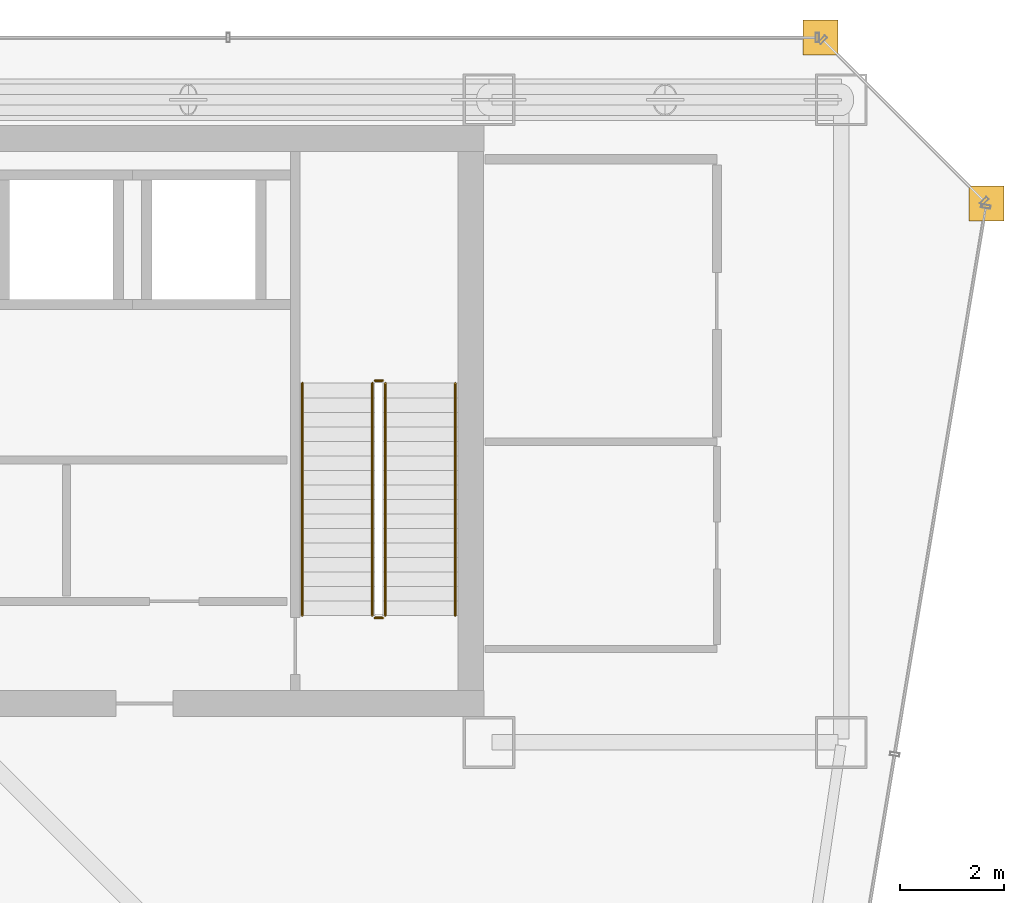
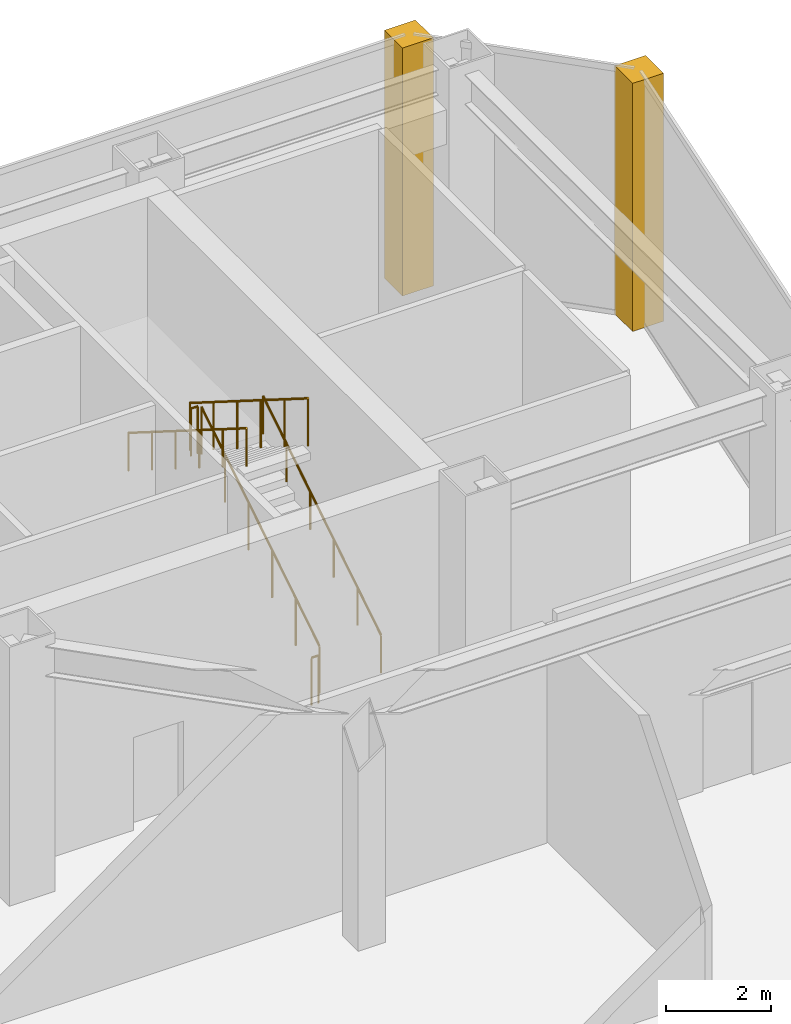
# One storey, part 30 of 30: 6 railings, 2 coverings.
"""IFC4 building model written with IfcOpenShell, lengths in metres."""

import ifcopenshell
import ifcopenshell.guid

model = None  # the IFC model being written
_history = None  # IfcOwnerHistory: only IFC2X3 demands one
_inside = {}  # id of a spatial element -> (the spatial element, [elements in it])
_under = {}  # id of a project, library or spatial element -> (it, [spatial elements below it])
_declared = {}  # id of a project -> (the project, [libraries it declares])
_typed = {}  # id of a type object -> (the type object, [elements of that type])
_made_of = {}  # id of a material, layer set ... -> (it, [elements and type objects made of it])


def new_model(schema):
    """Start an empty IFC model of exactly this schema.

    Asked for "IFC4X3", IfcOpenShell would pick the latest addendum, in which some entities
    have other attributes; the version numbers below select the first issue.
    IFC2X3 requires an IfcOwnerHistory on every rooted entity: one is made here for all.
    """
    global model, _history
    if schema == "IFC4X3":
        model = ifcopenshell.file(schema_version=(4, 3, 0, 0))
    else:
        model = ifcopenshell.file(schema=schema)
    _inside.clear()
    _under.clear()
    _declared.clear()
    _typed.clear()
    _made_of.clear()
    _history = None
    if model.schema == "IFC2X3":
        org = make("IfcOrganization", Name="unknown")
        user = make(
            "IfcPersonAndOrganization",
            ThePerson=make("IfcPerson", FamilyName="unknown"),
            TheOrganization=org,
        )
        app = make(
            "IfcApplication",
            ApplicationDeveloper=org,
            Version="unknown",
            ApplicationFullName="unknown",
            ApplicationIdentifier="unknown",
        )
        _history = make(
            "IfcOwnerHistory",
            OwningUser=user,
            OwningApplication=app,
            ChangeAction="ADDED",
            CreationDate=0,
        )
    return model


def make(cls, **values):
    """One entity of the class cls with the attributes given. An attribute that is None is left unset."""
    return model.create_entity(
        cls, **{name: value for name, value in values.items() if value is not None}
    )


def rooted(cls, **values):
    """An entity with a GlobalId (a new one), such as an element, a storey or a relation."""
    return make(cls, GlobalId=ifcopenshell.guid.new(), OwnerHistory=_history, **values)


def si_unit(unit_type, name, prefix=None):
    """IfcSIUnit, for example si_unit("LENGTHUNIT", "METRE", prefix="MILLI")."""
    return make("IfcSIUnit", UnitType=unit_type, Prefix=prefix, Name=name)


def assignment(units):
    """IfcUnitAssignment: the units of a project."""
    return None if units is None else make("IfcUnitAssignment", Units=units)


def point(xyz):
    """IfcCartesianPoint."""
    return None if xyz is None else make("IfcCartesianPoint", Coordinates=xyz)


def direction(xyz):
    """IfcDirection."""
    return None if xyz is None else make("IfcDirection", DirectionRatios=xyz)


def frame(location, z_axis=None, x_axis=None):
    """IfcAxis2Placement3D, a coordinate frame: its origin and axes. An axis left out is left unset."""
    return make(
        "IfcAxis2Placement3D",
        Location=point(location),
        Axis=direction(z_axis),
        RefDirection=direction(x_axis),
    )


def frame_2d(location, x_axis=None):
    """IfcAxis2Placement2D, a coordinate frame in the plane: its origin and x axis."""
    return make(
        "IfcAxis2Placement2D", Location=point(location), RefDirection=direction(x_axis)
    )


def origin():
    """The frame at (0, 0, 0) with its axes left unset."""
    return frame((0.0, 0.0, 0.0))


def origin_2d():
    """The frame at (0, 0) in the plane with its x axis left unset."""
    return frame_2d((0.0, 0.0))


def place(relative_to, where):
    """IfcLocalPlacement: puts the frame where relative to a parent placement (None: the world)."""
    return make(
        "IfcLocalPlacement", PlacementRelTo=relative_to, RelativePlacement=where
    )


def context(
    kind, dimensions, precision=None, world=None, true_north=None, identifier=None
):
    """IfcGeometricRepresentationContext, for example the 3D "Model" context."""
    return make(
        "IfcGeometricRepresentationContext",
        ContextIdentifier=identifier,
        ContextType=kind,
        CoordinateSpaceDimension=dimensions,
        Precision=precision,
        WorldCoordinateSystem=world,
        TrueNorth=true_north,
    )


def subcontext(parent, identifier, kind, view, scale=None):
    """IfcGeometricRepresentationSubContext, for example "Body" below "Model"."""
    return make(
        "IfcGeometricRepresentationSubContext",
        ContextIdentifier=identifier,
        ContextType=kind,
        ParentContext=parent,
        TargetScale=scale,
        TargetView=view,
    )


def project(units=None, contexts=None):
    """IfcProject with its units and contexts."""
    return rooted(
        "IfcProject",
        Name="project",
        RepresentationContexts=contexts,
        UnitsInContext=assignment(units),
    )


def spatial(cls, under=None, at=None, **own):
    """A site, building, storey or space (cls), placed at a placement, below another one or the project."""
    s = rooted(cls, ObjectPlacement=at, **own)
    if under is not None:
        _under.setdefault(under.id(), (under, []))[1].append(s)
    return s


def polyline(points):
    """IfcPolyline through the points."""
    return make("IfcPolyline", Points=[point(p) for p in points])


def profile(cls, at=None, kind="AREA", **sizes):
    """A parametric profile (cls). Its sizes go by their IFC names, for example OverallWidth=200.0."""
    return make(cls, ProfileType=kind, Position=at, **sizes)


def circle(**sizes):
    """IfcCircleProfileDef."""
    return profile("IfcCircleProfileDef", **sizes)


def outline(outer, holes=None, kind="AREA"):
    """IfcArbitraryClosedProfileDef: a profile drawn as a closed curve; with holes, ...WithVoids."""
    if holes is None:
        return make("IfcArbitraryClosedProfileDef", ProfileType=kind, OuterCurve=outer)
    return make(
        "IfcArbitraryProfileDefWithVoids",
        ProfileType=kind,
        OuterCurve=outer,
        InnerCurves=holes,
    )


def extrude(swept, where, along, depth):
    """IfcExtrudedAreaSolid: the profile swept, set in the frame where, extruded along a direction by depth."""
    return make(
        "IfcExtrudedAreaSolid",
        SweptArea=swept,
        Position=where,
        ExtrudedDirection=direction(along),
        Depth=depth,
    )


def shape(context_of_items, identifier, shape_type, items):
    """IfcShapeRepresentation: the items that make up one representation, for example the "Body"."""
    return make(
        "IfcShapeRepresentation",
        ContextOfItems=context_of_items,
        RepresentationIdentifier=identifier,
        RepresentationType=shape_type,
        Items=items,
    )


def material(Name=None, Category=None):
    """IfcMaterial."""
    return make("IfcMaterial", Name=Name, Category=Category)


def layer(
    of_material, thickness, ventilated=None, Name=None, Category=None, Priority=None
):
    """IfcMaterialLayer: one layer of a wall or slab, of a material (None: an air gap)."""
    return make(
        "IfcMaterialLayer",
        Material=of_material,
        LayerThickness=thickness,
        IsVentilated=ventilated,
        Name=Name,
        Category=Category,
        Priority=Priority,
    )


def layer_set(layers, Name=None):
    """IfcMaterialLayerSet."""
    return make("IfcMaterialLayerSet", MaterialLayers=layers, LayerSetName=Name)


def made_of(thing, what):
    """Note that an element or type object is made of a material, layer set ...; save() writes the relation."""
    if what is not None:
        _made_of.setdefault(what.id(), (what, []))[1].append(thing)
    return thing


def type_object(cls, material=None, **own):
    """A type object (cls), such as IfcWallType, which elements share."""
    return made_of(rooted(cls, **own), material)


def element(
    cls,
    number,
    at=None,
    inside=None,
    cuts=None,
    type_object=None,
    material=None,
    context=None,
    identifier="Body",
    shape_type=None,
    held_by="IfcProductDefinitionShape",
    body=None,
    shapes=None,
    **own,
):
    """One element of the class cls, such as IfcWall. Its Tag is "e" and its number.

    at: its placement. inside: the storey or other place that contains it. cuts: it is an
    opening in that element (IfcRelVoidsElement). A single representation is given by context,
    identifier, shape_type and body (its items); several are given by shapes. held_by: the class
    of the entity that holds the representations. save() writes the other relations.
    """
    e = rooted(cls, Tag="e%d" % number, ObjectPlacement=at, **own)
    if body is not None:
        shapes = [shape(context, identifier, shape_type, body)]
    if shapes is not None:
        e.Representation = make(held_by, Representations=shapes)
    if inside is not None:
        _inside.setdefault(inside.id(), (inside, []))[1].append(e)
    if cuts is not None:
        rooted(
            "IfcRelVoidsElement", RelatingBuildingElement=cuts, RelatedOpeningElement=e
        )
    if type_object is not None:
        _typed.setdefault(type_object.id(), (type_object, []))[1].append(e)
    return made_of(e, material)


def aggregate(whole, parts):
    """IfcRelAggregates: a whole, such as a stair, and the parts it consists of."""
    return rooted("IfcRelAggregates", RelatingObject=whole, RelatedObjects=parts)


def save(model, path):
    """Write the relations noted so far, then the file.

    IfcRelAggregates (storeys below a building ...), IfcRelContainedInSpatialStructure (elements
    in a storey), IfcRelDefinesByType, IfcRelAssociatesMaterial and IfcRelDeclares: one each for
    every whole, place, type object, material and project.
    """
    for whole, parts in _under.values():
        aggregate(whole, parts)
    for where, things in _inside.values():
        rooted(
            "IfcRelContainedInSpatialStructure",
            RelatedElements=things,
            RelatingStructure=where,
        )
    for kind, things in _typed.values():
        rooted("IfcRelDefinesByType", RelatedObjects=things, RelatingType=kind)
    for what, things in _made_of.values():
        rooted("IfcRelAssociatesMaterial", RelatedObjects=things, RelatingMaterial=what)
    for by, libraries in _declared.values():
        rooted("IfcRelDeclares", RelatingContext=by, RelatedDefinitions=libraries)
    model.write(path)


model = new_model("IFC4")

# Units and contexts
model_context = context("Model", 3, precision=1e-05, world=origin(), true_north=direction((0.0, 1.0)))
body_context = subcontext(model_context, "Body", "Model", "MODEL_VIEW")
ifc_project = project(units=[si_unit("LENGTHUNIT", "METRE"), si_unit("AREAUNIT", "SQUARE_METRE"), si_unit("VOLUMEUNIT", "CUBIC_METRE"), si_unit("PLANEANGLEUNIT", "RADIAN"), si_unit("MASSUNIT", "GRAM", prefix="KILO")], contexts=[model_context])

# Site, building, storey
site_placement = place(None, origin())
site = spatial("IfcSite", under=ifc_project, at=site_placement, CompositionType="ELEMENT")
building_placement = place(site_placement, origin())
building = spatial("IfcBuilding", under=site, at=building_placement, Name="Saevonmaru Cultural Tower", CompositionType="ELEMENT")
storey_placement = place(building_placement, frame((0.0, 0.0, 123.60009765625)))
storey = spatial("IfcBuildingStorey", under=building, at=storey_placement, Name="L26", CompositionType="ELEMENT", Elevation=123.60009765625)

# Coverings
ifc_material_1 = material(Name="Satin Bronze Anodised Aluminium", Category="aluminium")
ifc_layer = layer(ifc_material_1, 0.679931640625, Name="Satin Bronze Anodised Aluminium")
ifc_layer_set = layer_set([ifc_layer], Name="Satin Bronze Anodised Aluminium")
covering_type = type_object("IfcCoveringType", Name="CV-CORNER-CLAD", PredefinedType="CLADDING", material=ifc_layer_set)
covering_1_placement = place(storey_placement, origin())
element("IfcCovering", 1, at=covering_1_placement, inside=storey, type_object=covering_type, Name="L26 Tower Bronze Corner Cladding Pier 9", PredefinedType="CLADDING", context=body_context, shape_type="SweptSolid", body=[
    extrude(outline(polyline([(55.659912109375, 52.4599609375), (56.340087890625, 52.4599609375), (56.340087890625, 53.139892578125), (55.659912109375, 53.139892578125), (55.659912109375, 52.4599609375)])), origin(), (0.0, 0.0, 1.0), 5.75),
])
covering_2_placement = place(storey_placement, origin())
element("IfcCovering", 2, at=covering_2_placement, inside=storey, type_object=covering_type, Name="L26 Tower Bronze Corner Cladding Pier 10", PredefinedType="CLADDING", context=body_context, shape_type="SweptSolid", body=[
    extrude(outline(polyline([(52.4599609375, 55.659912109375), (53.139892578125, 55.659912109375), (53.139892578125, 56.340087890625), (52.4599609375, 56.340087890625), (52.4599609375, 55.659912109375)])), origin(), (0.0, 0.0, 1.0), 5.75),
])

# Railings
ifc_material_2 = material(Name="Architectural Painted Steel", Category="steel")
railing_type_1 = type_object("IfcRailingType", Name="RL-STAIR-GUARD", PredefinedType="GUARDRAIL", material=ifc_material_2)
railing_1_placement = place(storey_placement, frame((44.39990234375, 44.85009765625, 0.17626953125)))
element("IfcRailing", 3, at=railing_1_placement, inside=storey, type_object=railing_type_1, Name="L26 ST-2 stair guard 1", PredefinedType="GUARDRAIL", context=body_context, shape_type="SweptSolid", body=[
    extrude(circle(Radius=0.02392578125, at=origin_2d()), frame((0.0, 0.0, 1.09619140625), z_axis=(0.0, 0.845977142166, 0.533219162196), x_axis=(-1.0, 0.0, 0.0)), (0.0, 0.0, 1.0), 5.295654296875),
    extrude(circle(Radius=0.02099609375, at=origin_2d()), origin(), (0.0, 0.0, 1.0), 1.072021484375),
    extrude(circle(Radius=0.02099609375, at=origin_2d()), frame((0.0, 0.89599609375, 0.564697265625)), (0.0, 0.0, 1.0), 1.072021484375),
    extrude(circle(Radius=0.02099609375, at=origin_2d()), frame((0.0, 1.7919921875, 1.12939453125)), (0.0, 0.0, 1.0), 1.072021484375),
    extrude(circle(Radius=0.02099609375, at=origin_2d()), frame((0.0, 2.68798828125, 1.6943359375)), (0.0, 0.0, 1.0), 1.072021484375),
    extrude(circle(Radius=0.02099609375, at=origin_2d()), frame((0.0, 3.583984375, 2.259033203125)), (0.0, 0.0, 1.0), 1.072021484375),
    extrude(circle(Radius=0.02099609375, at=origin_2d()), frame((0.0, 4.47998046875, 2.82373046875)), (0.0, 0.0, 1.0), 1.072021484375),
])
railing_2_placement = place(storey_placement, frame((44.35009765625, 49.3798828125, 3.0)))
element("IfcRailing", 4, at=railing_2_placement, inside=storey, type_object=railing_type_1, Name="L26 ST-2 stair guard 2", PredefinedType="GUARDRAIL", context=body_context, shape_type="SweptSolid", body=[
    extrude(circle(Radius=0.02392578125, at=origin_2d()), frame((0.0, 0.0, 1.09619140625), z_axis=(-1.0, 0.0, 0.0), x_axis=(0.0, -1.0, 0.0)), (0.0, 0.0, 1.0), 0.150146484375),
    extrude(circle(Radius=0.02099609375, at=origin_2d()), origin(), (0.0, 0.0, 1.0), 1.072021484375),
    extrude(circle(Radius=0.02099609375, at=origin_2d()), frame((-0.150146484375, 0.0, 0.0)), (0.0, 0.0, 1.0), 1.072021484375),
])
railing_3_placement = place(storey_placement, frame((44.14990234375, 49.330078125, 3.17626953125)))
element("IfcRailing", 5, at=railing_3_placement, inside=storey, type_object=railing_type_1, Name="L26 ST-2 stair guard 3", PredefinedType="GUARDRAIL", context=body_context, shape_type="SweptSolid", body=[
    extrude(circle(Radius=0.02392578125, at=origin_2d()), frame((0.0, 0.0, 1.09619140625), z_axis=(0.0, -0.845977142166, 0.533219162196), x_axis=(1.0, 0.0, 0.0)), (0.0, 0.0, 1.0), 5.295654296875),
    extrude(circle(Radius=0.02099609375, at=origin_2d()), origin(), (0.0, 0.0, 1.0), 1.072021484375),
    extrude(circle(Radius=0.02099609375, at=origin_2d()), frame((0.0, -0.89599609375, 0.564697265625)), (0.0, 0.0, 1.0), 1.072021484375),
    extrude(circle(Radius=0.02099609375, at=origin_2d()), frame((0.0, -1.7919921875, 1.12939453125)), (0.0, 0.0, 1.0), 1.072021484375),
    extrude(circle(Radius=0.02099609375, at=origin_2d()), frame((0.0, -2.68798828125, 1.6943359375)), (0.0, 0.0, 1.0), 1.072021484375),
    extrude(circle(Radius=0.02099609375, at=origin_2d()), frame((0.0, -3.583984375, 2.259033203125)), (0.0, 0.0, 1.0), 1.072021484375),
    extrude(circle(Radius=0.02099609375, at=origin_2d()), frame((0.0, -4.47998046875, 2.82373046875)), (0.0, 0.0, 1.0), 1.072021484375),
])
railing_4_placement = place(storey_placement, frame((44.35009765625, 44.800048828125, 0.0)))
element("IfcRailing", 6, at=railing_4_placement, inside=storey, type_object=railing_type_1, Name="L26 ST-2 stair guard 4", PredefinedType="GUARDRAIL", context=body_context, shape_type="SweptSolid", body=[
    extrude(circle(Radius=0.02392578125, at=origin_2d()), frame((0.0, 0.0, 1.09619140625), z_axis=(-1.0, 0.0, 0.0), x_axis=(0.0, -1.0, 0.0)), (0.0, 0.0, 1.0), 0.150146484375),
    extrude(circle(Radius=0.02099609375, at=origin_2d()), origin(), (0.0, 0.0, 1.0), 1.072021484375),
    extrude(circle(Radius=0.02099609375, at=origin_2d()), frame((-0.150146484375, 0.0, 0.0)), (0.0, 0.0, 1.0), 1.072021484375),
])
railing_type_2 = type_object("IfcRailingType", Name="RL-STAIR-HANDRAIL", PredefinedType="HANDRAIL", material=ifc_material_1)
railing_5_placement = place(storey_placement, frame((45.75, 44.85009765625, 0.17626953125)))
element("IfcRailing", 7, at=railing_5_placement, inside=storey, type_object=railing_type_2, Name="L26 ST-2 stair handrail 1", PredefinedType="HANDRAIL", context=body_context, shape_type="SweptSolid", body=[
    extrude(circle(Radius=0.02392578125, at=origin_2d()), frame((0.0, 0.0, 0.8759765625), z_axis=(0.0, 0.845977142166, 0.533219162196), x_axis=(-1.0, 0.0, 0.0)), (0.0, 0.0, 1.0), 5.295654296875),
    extrude(circle(Radius=0.02099609375, at=origin_2d()), origin(), (0.0, 0.0, 1.0), 0.851806640625),
    extrude(circle(Radius=0.02099609375, at=origin_2d()), frame((0.0, 0.89599609375, 0.564697265625)), (0.0, 0.0, 1.0), 0.851806640625),
    extrude(circle(Radius=0.02099609375, at=origin_2d()), frame((0.0, 1.7919921875, 1.12939453125)), (0.0, 0.0, 1.0), 0.851806640625),
    extrude(circle(Radius=0.02099609375, at=origin_2d()), frame((0.0, 2.68798828125, 1.6943359375)), (0.0, 0.0, 1.0), 0.851806640625),
    extrude(circle(Radius=0.02099609375, at=origin_2d()), frame((0.0, 3.583984375, 2.259033203125)), (0.0, 0.0, 1.0), 0.851806640625),
    extrude(circle(Radius=0.02099609375, at=origin_2d()), frame((0.0, 4.47998046875, 2.82373046875)), (0.0, 0.0, 1.0), 0.851806640625),
])
railing_6_placement = place(storey_placement, frame((42.800048828125, 49.330078125, 3.17626953125)))
element("IfcRailing", 8, at=railing_6_placement, inside=storey, type_object=railing_type_2, Name="L26 ST-2 stair handrail 2", PredefinedType="HANDRAIL", context=body_context, shape_type="SweptSolid", body=[
    extrude(circle(Radius=0.02392578125, at=origin_2d()), frame((0.0, 0.0, 0.8759765625), z_axis=(0.0, -0.845977142166, 0.533219162196), x_axis=(1.0, 0.0, 0.0)), (0.0, 0.0, 1.0), 5.295654296875),
    extrude(circle(Radius=0.02099609375, at=origin_2d()), origin(), (0.0, 0.0, 1.0), 0.851806640625),
    extrude(circle(Radius=0.02099609375, at=origin_2d()), frame((0.0, -0.89599609375, 0.564697265625)), (0.0, 0.0, 1.0), 0.851806640625),
    extrude(circle(Radius=0.02099609375, at=origin_2d()), frame((0.0, -1.7919921875, 1.12939453125)), (0.0, 0.0, 1.0), 0.851806640625),
    extrude(circle(Radius=0.02099609375, at=origin_2d()), frame((0.0, -2.68798828125, 1.6943359375)), (0.0, 0.0, 1.0), 0.851806640625),
    extrude(circle(Radius=0.02099609375, at=origin_2d()), frame((0.0, -3.583984375, 2.259033203125)), (0.0, 0.0, 1.0), 0.851806640625),
    extrude(circle(Radius=0.02099609375, at=origin_2d()), frame((0.0, -4.47998046875, 2.82373046875)), (0.0, 0.0, 1.0), 0.851806640625),
])

save(model, "model.ifc")
